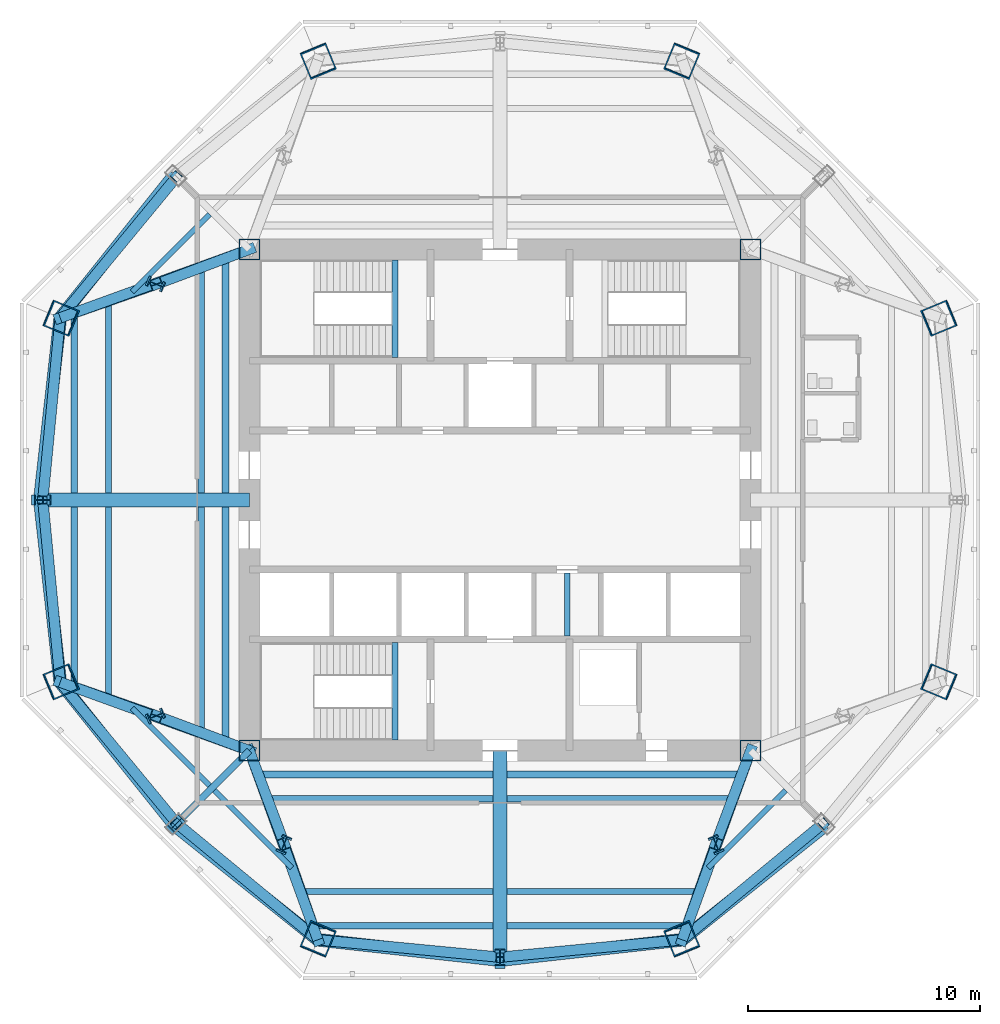
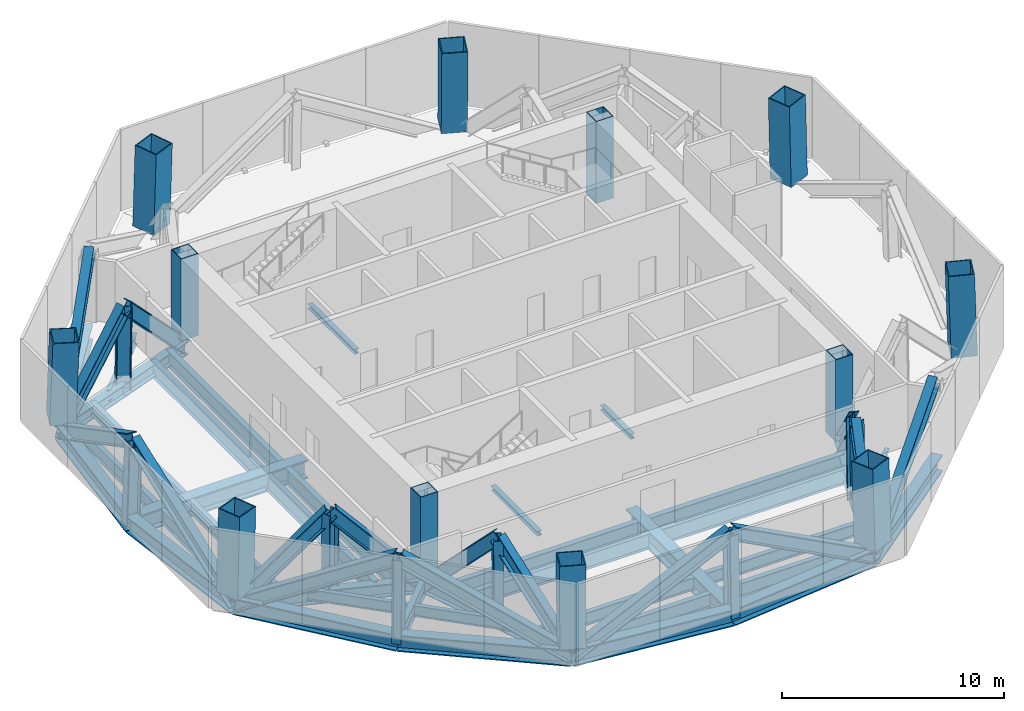
# One storey, part 1 of 8: 39 members, 26 beams, 12 columns.
"""IFC4 building model written with IfcOpenShell, lengths in metres."""

from ifc_helpers import new_model, si_unit, direction, frame, origin, origin_2d, place, context, subcontext, project, spatial, hollow_rectangle, i_section, extrude, source, transform, mapped, material, material_profile, profile_set, type_object, type_shapes, element, save


model = new_model("IFC4")

# Units and contexts
model_context = context("Model", 3, precision=1e-05, world=origin(), true_north=direction((0.0, 1.0)))
body_context = subcontext(model_context, "Body", "Model", "MODEL_VIEW")
ifc_project = project(units=[si_unit("LENGTHUNIT", "METRE"), si_unit("AREAUNIT", "SQUARE_METRE"), si_unit("VOLUMEUNIT", "CUBIC_METRE"), si_unit("PLANEANGLEUNIT", "RADIAN"), si_unit("MASSUNIT", "GRAM", prefix="KILO")], contexts=[model_context])

# Site, building, storey
site_placement = place(None, origin())
site = spatial("IfcSite", under=ifc_project, at=site_placement, CompositionType="ELEMENT")
building_placement = place(site_placement, origin())
building = spatial("IfcBuilding", under=site, at=building_placement, Name="Mashrafa Tower", CompositionType="ELEMENT")
storey_placement = place(building_placement, frame((0.0, 0.0, 261.800048828125)))
storey = spatial("IfcBuildingStorey", under=building, at=storey_placement, Name="L63", CompositionType="ELEMENT", Elevation=261.800048828125)

# Columns
ifc_material_1 = material(Name="Steel ASTM A572 Gr 50", Category="steel")
ifc_material_profile_1 = material_profile(ifc_material_1, hollow_rectangle(XDim=0.89990234375, YDim=0.89990234375, WallThickness=0.0400390625, at=origin_2d()), Name="BOX900X900X40")
ifc_profile_set_1 = profile_set([ifc_material_profile_1], Name="Steel ASTM A572 Gr 50")
column_type_1 = type_object("IfcColumnType", Name="Core corner column BOX900X900X40", PredefinedType="COLUMN", material=ifc_profile_set_1)
for number, where, z_axis, x_axis, name in (
    (1, (10.800048828125, 10.800048828125, 0.0), (0.0, 0.0, 1.0), (1.0, 0.0, 0.0), "Core corner column CC-NE L63"),
    (2, (-10.800048828125, 10.800048828125, 0.0), (0.0, 0.0, 1.0), (1.0, 0.0, 0.0), "Core corner column CC-NW L63"),
    (3, (-10.800048828125, -10.800048828125, 0.0), (0.0, 0.0, 1.0), (1.0, 0.0, 0.0), "Core corner column CC-SW L63"),
    (4, (10.800048828125, -10.800048828125, 0.0), (0.0, 0.0, 1.0), (1.0, 0.0, 0.0), "Core corner column CC-SE L63"),
):
    element("IfcColumn", number, at=place(storey_placement, frame(where, z_axis=z_axis, x_axis=x_axis)), inside=storey, type_object=column_type_1, Name=name, PredefinedType="COLUMN", context=body_context, shape_type="SweptSolid", body=[
        extrude(hollow_rectangle(XDim=0.89990234375, YDim=0.89990234375, WallThickness=0.0400390625, at=origin_2d()), origin(), (0.0, 0.0, 1.0), 4.5),
    ])
ifc_material_2 = material(Name="Steel ASTM A572 Gr 50", Category="steel")
ifc_material_profile_2 = material_profile(ifc_material_2, hollow_rectangle(XDim=1.199951171875, YDim=1.199951171875, WallThickness=0.054931640625, at=origin_2d()), Name="BOX1200X1200X55")
ifc_profile_set_2 = profile_set([ifc_material_profile_2], Name="Steel ASTM A572 Gr 50")
column_type_2 = type_object("IfcColumnType", Name="Mega column CFST BOX1200X1200X55", PredefinedType="COLUMN", material=ifc_profile_set_2)
for number, where, z_axis, x_axis, name in (
    (5, (18.9306640625, 7.84130859375, 0.0), (-0.028307020249, -0.011713249758, 0.999530646046), (0.382351792726, -0.924016832422, 0.0), "Mega column MC1 L63"),
    (6, (7.84130859375, 18.9306640625, 0.0), (-0.011713249758, -0.028307020249, 0.999530646046), (0.924016832422, -0.382351792726, 0.0), "Mega column MC2 L63"),
    (7, (-7.84130859375, 18.9306640625, 0.0), (0.011713249758, -0.028307020249, 0.999530646046), (0.924016832422, 0.382351792726, 0.0), "Mega column MC3 L63"),
    (8, (-18.9306640625, 7.84130859375, 0.0), (0.028307020249, -0.011713249758, 0.999530646046), (0.382351792726, 0.924016832422, 0.0), "Mega column MC4 L63"),
    (9, (-18.9306640625, -7.84130859375, 0.0), (0.028307020249, 0.011713249758, 0.999530646046), (-0.382351792726, 0.924016832422, 0.0), "Mega column MC5 L63"),
    (10, (-7.84130859375, -18.9306640625, 0.0), (0.011713249758, 0.028307020249, 0.999530646046), (-0.924016832422, 0.382351792726, 0.0), "Mega column MC6 L63"),
    (11, (7.84130859375, -18.9306640625, 0.0), (-0.011713249758, 0.028307020249, 0.999530646046), (-0.924016832422, -0.382351792726, 0.0), "Mega column MC7 L63"),
    (12, (18.9306640625, -7.84130859375, 0.0), (-0.028307020249, 0.011713249758, 0.999530646046), (-0.382351792726, -0.924016832422, 0.0), "Mega column MC8 L63"),
):
    element("IfcColumn", number, at=place(storey_placement, frame(where, z_axis=z_axis, x_axis=x_axis)), inside=storey, type_object=column_type_2, Name=name, PredefinedType="COLUMN", context=body_context, shape_type="SweptSolid", body=[
        extrude(hollow_rectangle(XDim=1.199951171875, YDim=1.199951171875, WallThickness=0.054931640625, at=origin_2d()), origin(), (0.0, 0.0, 1.0), 4.502197265625),
    ])

# Beams
ifc_material_3 = material(Name="Steel ASTM A572 Gr 50", Category="steel")
ifc_material_profile_3 = material_profile(ifc_material_3, i_section(OverallWidth=0.60009765625, OverallDepth=1.0, WebThickness=0.0400390625, FlangeThickness=0.070068359375, at=origin_2d()), Name="H1000X600X40X70")
ifc_profile_set_3 = profile_set([ifc_material_profile_3], Name="Steel ASTM A572 Gr 50")
beam_type_1 = type_object("IfcBeamType", Name="Beam H1000X600X40X70", PredefinedType="BEAM", material=ifc_profile_set_3)
for number, where, z_axis, x_axis, name in (
    (13, (-10.800048828125, 0.0, -0.75), (-1.0, 0.0, 0.0), (0.0, -1.0, 0.0), "Radial girder L63 042"),
    (14, (0.0, -10.800048828125, -0.75), (0.0, -1.0, 0.0), (1.0, 0.0, 0.0), "Radial girder L63 044"),
):
    element("IfcBeam", number, at=place(storey_placement, frame(where, z_axis=z_axis, x_axis=x_axis)), inside=storey, type_object=beam_type_1, Name=name, PredefinedType="BEAM", context=body_context, shape_type="SweptSolid", body=[
        extrude(i_section(OverallWidth=0.60009765625, OverallDepth=1.0, WebThickness=0.0400390625, FlangeThickness=0.070068359375, at=origin_2d()), origin(), (0.0, 0.0, 1.0), 9.015869140625),
    ])
ifc_material_4 = material(Name="Steel ASTM A992", Category="steel")
ifc_material_profile_4 = material_profile(ifc_material_4, i_section(OverallWidth=0.227783203125, OverallDepth=0.60205078125, WebThickness=0.010498046875, FlangeThickness=0.014892578125, FilletRadius=0.012939453125, at=origin_2d()), Name="W24X68")
ifc_profile_set_4 = profile_set([ifc_material_profile_4], Name="Steel ASTM A992")
beam_type_2 = type_object("IfcBeamType", Name="Beam W24X68", PredefinedType="BEAM", material=ifc_profile_set_4)
for number, where, z_axis, x_axis, name in (
    (15, (-15.843994140625, 8.968017578125, -0.551025390625), (0.707106781187, 0.707106781187, 0.0), (-0.707106781187, 0.707106781187, 0.0), "Floor beam L63 005"),
    (16, (-12.50927734375, -12.302734375, -0.551025390625), (-0.707106781187, 0.707106781187, 0.0), (-0.707106781187, -0.707106781187, 0.0), "Floor beam L63 008"),
    (17, (-8.968017578125, -15.843994140625, -0.551025390625), (-0.707106781187, 0.707106781187, 0.0), (-0.707106781187, -0.707106781187, 0.0), "Floor beam L63 014"),
    (18, (12.302734375, -12.50927734375, -0.551025390625), (-0.707106781187, -0.707106781187, 0.0), (0.707106781187, -0.707106781187, 0.0), "Floor beam L63 032"),
):
    element("IfcBeam", number, at=place(storey_placement, frame(where, z_axis=z_axis, x_axis=x_axis)), inside=storey, type_object=beam_type_2, Name=name, PredefinedType="BEAM", context=body_context, shape_type="SweptSolid", body=[
        extrude(i_section(OverallWidth=0.227783203125, OverallDepth=0.60205078125, WebThickness=0.010498046875, FlangeThickness=0.014892578125, FilletRadius=0.012939453125, at=origin_2d()), origin(), (0.0, 0.0, 1.0), 4.716064453125),
    ])
ifc_material_5 = material(Name="Steel ASTM A992", Category="steel")
ifc_material_profile_5 = material_profile(ifc_material_5, i_section(OverallWidth=0.256591796875, OverallDepth=0.693359375, WebThickness=0.014404296875, FlangeThickness=0.023681640625, FilletRadius=0.01513671875, at=origin_2d()), Name="W27X114")
ifc_profile_set_5 = profile_set([ifc_material_profile_5], Name="Steel ASTM A992")
beam_type_3 = type_object("IfcBeamType", Name="Beam W27X114", PredefinedType="BEAM", material=ifc_profile_set_5)
for number, where, z_axis, x_axis, name in (
    (19, (-16.868896484375, -8.595703125, -0.5966796875), (0.0, 1.0, 0.0), (-1.0, 0.0, 0.0), "Floor beam L63 003"),
    (20, (-16.868896484375, 0.300048828125, -0.5966796875), (0.0, 1.0, 0.0), (-1.0, 0.0, 0.0), "Floor beam L63 004"),
    (21, (-0.300048828125, -16.868896484375, -0.5966796875), (-1.0, 0.0, 0.0), (0.0, -1.0, 0.0), "Floor beam L63 018"),
    (22, (8.595703125, -16.868896484375, -0.5966796875), (-1.0, 0.0, 0.0), (0.0, -1.0, 0.0), "Floor beam L63 026"),
):
    element("IfcBeam", number, at=place(storey_placement, frame(where, z_axis=z_axis, x_axis=x_axis)), inside=storey, type_object=beam_type_3, Name=name, PredefinedType="BEAM", context=body_context, shape_type="SweptSolid", body=[
        extrude(i_section(OverallWidth=0.256591796875, OverallDepth=0.693359375, WebThickness=0.014404296875, FlangeThickness=0.023681640625, FilletRadius=0.01513671875, at=origin_2d()), origin(), (0.0, 0.0, 1.0), 8.295654296875),
    ])
ifc_material_6 = material(Name="Steel ASTM A992", Category="steel")
ifc_material_profile_6 = material_profile(ifc_material_6, i_section(OverallWidth=0.2666015625, OverallDepth=0.75439453125, WebThickness=0.01318359375, FlangeThickness=0.01708984375, FilletRadius=0.0166015625, at=origin_2d()), Name="W30X99")
ifc_profile_set_6 = profile_set([ifc_material_profile_6], Name="Steel ASTM A992")
beam_type_4 = type_object("IfcBeamType", Name="Beam W30X99", PredefinedType="BEAM", material=ifc_profile_set_6)
for number, where, z_axis, x_axis, name in (
    (23, (-18.34228515625, -8.060302734375, -0.627197265625), (0.0, 1.0, 0.0), (-1.0, 0.0, 0.0), "Floor beam L63 001"),
    (24, (-18.34228515625, 0.300048828125, -0.627197265625), (0.0, 1.0, 0.0), (-1.0, 0.0, 0.0), "Floor beam L63 002"),
    (25, (-0.300048828125, -18.34228515625, -0.627197265625), (-1.0, 0.0, 0.0), (0.0, -1.0, 0.0), "Floor beam L63 017"),
    (26, (8.060302734375, -18.34228515625, -0.627197265625), (-1.0, 0.0, 0.0), (0.0, -1.0, 0.0), "Floor beam L63 025"),
):
    element("IfcBeam", number, at=place(storey_placement, frame(where, z_axis=z_axis, x_axis=x_axis)), inside=storey, type_object=beam_type_4, Name=name, PredefinedType="BEAM", context=body_context, shape_type="SweptSolid", body=[
        extrude(i_section(OverallWidth=0.2666015625, OverallDepth=0.75439453125, WebThickness=0.01318359375, FlangeThickness=0.01708984375, FilletRadius=0.0166015625, at=origin_2d()), origin(), (0.0, 0.0, 1.0), 7.76025390625),
    ])
ifc_material_7 = material(Name="Steel ASTM A992", Category="steel")
ifc_material_profile_7 = material_profile(ifc_material_7, i_section(OverallWidth=0.2919921875, OverallDepth=0.8408203125, WebThickness=0.0146484375, FlangeThickness=0.021728515625, FilletRadius=0.017333984375, at=origin_2d()), Name="W33X130")
ifc_profile_set_7 = profile_set([ifc_material_profile_7], Name="Steel ASTM A992")
beam_type_5 = type_object("IfcBeamType", Name="Beam W33X130", PredefinedType="BEAM", material=ifc_profile_set_7)
beam_1_placement = place(storey_placement, frame((-10.800048828125, -10.800048828125, -0.67041015625), z_axis=(-0.707106781187, -0.707106781187, 0.0), x_axis=(0.707106781187, -0.707106781187, 0.0)))
element("IfcBeam", 27, at=beam_1_placement, inside=storey, type_object=beam_type_5, Name="Radial girder L63 041", PredefinedType="BEAM", context=body_context, shape_type="SweptSolid", body=[
    extrude(i_section(OverallWidth=0.2919921875, OverallDepth=0.8408203125, WebThickness=0.0146484375, FlangeThickness=0.021728515625, FilletRadius=0.017333984375, at=origin_2d()), origin(), (0.0, 0.0, 1.0), 4.542236328125),
])
ifc_material_8 = material(Name="Steel ASTM A992", Category="steel")
ifc_material_profile_8 = material_profile(ifc_material_8, i_section(OverallWidth=0.2919921875, OverallDepth=0.845703125, WebThickness=0.015380859375, FlangeThickness=0.0244140625, FilletRadius=0.017333984375, at=origin_2d()), Name="W33X141")
ifc_profile_set_8 = profile_set([ifc_material_profile_8], Name="Steel ASTM A992")
beam_type_6 = type_object("IfcBeamType", Name="Beam W33X141", PredefinedType="BEAM", material=ifc_profile_set_8)
for number, where, z_axis, x_axis, name in (
    (28, (-12.868896484375, -10.048583984375, -0.6728515625), (0.0, 1.0, 0.0), (-1.0, 0.0, 0.0), "Floor beam L63 006"),
    (29, (-12.868896484375, 0.300048828125, -0.6728515625), (0.0, 1.0, 0.0), (-1.0, 0.0, 0.0), "Floor beam L63 007"),
):
    element("IfcBeam", number, at=place(storey_placement, frame(where, z_axis=z_axis, x_axis=x_axis)), inside=storey, type_object=beam_type_6, Name=name, PredefinedType="BEAM", context=body_context, shape_type="SweptSolid", body=[
        extrude(i_section(OverallWidth=0.2919921875, OverallDepth=0.845703125, WebThickness=0.015380859375, FlangeThickness=0.0244140625, FilletRadius=0.017333984375, at=origin_2d()), origin(), (0.0, 0.0, 1.0), 9.74853515625),
    ])
for number, where, z_axis, x_axis, name in (
    (30, (-11.83447265625, -10.42431640625, -0.6728515625), (0.0, 1.0, 0.0), (-1.0, 0.0, 0.0), "Floor beam L63 010"),
    (31, (-11.83447265625, 0.300048828125, -0.6728515625), (0.0, 1.0, 0.0), (-1.0, 0.0, 0.0), "Floor beam L63 011"),
):
    element("IfcBeam", number, at=place(storey_placement, frame(where, z_axis=z_axis, x_axis=x_axis)), inside=storey, type_object=beam_type_6, Name=name, PredefinedType="BEAM", context=body_context, shape_type="SweptSolid", body=[
        extrude(i_section(OverallWidth=0.2919921875, OverallDepth=0.845703125, WebThickness=0.015380859375, FlangeThickness=0.0244140625, FilletRadius=0.017333984375, at=origin_2d()), origin(), (0.0, 0.0, 1.0), 10.124267578125),
    ])
beam_2_placement = place(storey_placement, frame((-0.300048828125, -12.868896484375, -0.6728515625), z_axis=(-1.0, 0.0, 0.0), x_axis=(0.0, -1.0, 0.0)))
element("IfcBeam", 32, at=beam_2_placement, inside=storey, type_object=beam_type_6, Name="Floor beam L63 019", PredefinedType="BEAM", context=body_context, shape_type="SweptSolid", body=[
    extrude(i_section(OverallWidth=0.2919921875, OverallDepth=0.845703125, WebThickness=0.015380859375, FlangeThickness=0.0244140625, FilletRadius=0.017333984375, at=origin_2d()), origin(), (0.0, 0.0, 1.0), 9.74853515625),
])
beam_3_placement = place(storey_placement, frame((-0.300048828125, -11.83447265625, -0.6728515625), z_axis=(-1.0, 0.0, 0.0), x_axis=(0.0, -1.0, 0.0)))
element("IfcBeam", 33, at=beam_3_placement, inside=storey, type_object=beam_type_6, Name="Floor beam L63 020", PredefinedType="BEAM", context=body_context, shape_type="SweptSolid", body=[
    extrude(i_section(OverallWidth=0.2919921875, OverallDepth=0.845703125, WebThickness=0.015380859375, FlangeThickness=0.0244140625, FilletRadius=0.017333984375, at=origin_2d()), origin(), (0.0, 0.0, 1.0), 10.124267578125),
])
beam_4_placement = place(storey_placement, frame((10.048583984375, -12.868896484375, -0.6728515625), z_axis=(-1.0, 0.0, 0.0), x_axis=(0.0, -1.0, 0.0)))
element("IfcBeam", 34, at=beam_4_placement, inside=storey, type_object=beam_type_6, Name="Floor beam L63 028", PredefinedType="BEAM", context=body_context, shape_type="SweptSolid", body=[
    extrude(i_section(OverallWidth=0.2919921875, OverallDepth=0.845703125, WebThickness=0.015380859375, FlangeThickness=0.0244140625, FilletRadius=0.017333984375, at=origin_2d()), origin(), (0.0, 0.0, 1.0), 9.74853515625),
])
beam_5_placement = place(storey_placement, frame((10.42431640625, -11.83447265625, -0.6728515625), z_axis=(-1.0, 0.0, 0.0), x_axis=(0.0, -1.0, 0.0)))
element("IfcBeam", 35, at=beam_5_placement, inside=storey, type_object=beam_type_6, Name="Floor beam L63 029", PredefinedType="BEAM", context=body_context, shape_type="SweptSolid", body=[
    extrude(i_section(OverallWidth=0.2919921875, OverallDepth=0.845703125, WebThickness=0.015380859375, FlangeThickness=0.0244140625, FilletRadius=0.017333984375, at=origin_2d()), origin(), (0.0, 0.0, 1.0), 10.124267578125),
])
ifc_material_9 = material(Name="Steel ASTM A992", Category="steel")
ifc_material_profile_9 = material_profile(ifc_material_9, i_section(OverallWidth=0.25390625, OverallDepth=0.25390625, WebThickness=0.008544921875, FlangeThickness=0.01416015625, FilletRadius=0.010009765625, at=origin_2d()), Name="W10X49")
ifc_profile_set_9 = profile_set([ifc_material_profile_9], Name="Steel ASTM A992")
beam_type_7 = type_object("IfcBeamType", Name="Hoistway beam W10X49", PredefinedType="BEAM", material=ifc_profile_set_9)
beam_6_placement = place(storey_placement, frame((2.89990234375, -5.85009765625, -0.376953125), z_axis=(0.0, 1.0, 0.0), x_axis=(-1.0, 0.0, 0.0)))
element("IfcBeam", 36, at=beam_6_placement, inside=storey, type_object=beam_type_7, Name="Hoistway beam L63 07", PredefinedType="BEAM", context=body_context, shape_type="SweptSolid", body=[
    extrude(i_section(OverallWidth=0.25390625, OverallDepth=0.25390625, WebThickness=0.008544921875, FlangeThickness=0.01416015625, FilletRadius=0.010009765625, at=origin_2d()), origin(), (0.0, 0.0, 1.0), 2.7001953125),
])
for number, where, z_axis, x_axis, name in (
    (37, (-4.530029296875, 6.14990234375, -0.376953125), (0.0, 1.0, 0.0), (-1.0, 0.0, 0.0), "Stair S1 landing beam L63"),
    (38, (-4.530029296875, -10.35009765625, -0.376953125), (0.0, 1.0, 0.0), (-1.0, 0.0, 0.0), "Stair S3 landing beam L63"),
):
    element("IfcBeam", number, at=place(storey_placement, frame(where, z_axis=z_axis, x_axis=x_axis)), inside=storey, type_object=beam_type_7, Name=name, PredefinedType="BEAM", context=body_context, shape_type="SweptSolid", body=[
        extrude(i_section(OverallWidth=0.25390625, OverallDepth=0.25390625, WebThickness=0.008544921875, FlangeThickness=0.01416015625, FilletRadius=0.010009765625, at=origin_2d()), origin(), (0.0, 0.0, 1.0), 4.2001953125),
    ])

# Members
ifc_material_10 = material(Name="Steel ASTM A572 Gr 50", Category="steel")
ifc_material_profile_10 = material_profile(ifc_material_10, i_section(OverallWidth=0.449951171875, OverallDepth=0.699951171875, WebThickness=0.028076171875, FlangeThickness=0.044921875, at=origin_2d()), Name="H700X450X28X45")
ifc_profile_set_10 = profile_set([ifc_material_profile_10], Name="Steel ASTM A572 Gr 50")
member_type_1 = type_object("IfcMemberType", Name="Outrigger post H700X450X28X45", PredefinedType="POST", material=ifc_profile_set_10)
shared_shape_1 = source(origin(), body_context, "Body", "SweptSolid", [
    extrude(i_section(OverallWidth=0.449951171875, OverallDepth=0.699951171875, WebThickness=0.028076171875, FlangeThickness=0.044921875, at=origin_2d()), origin(), (0.0, 0.0, 1.0), 4.50048828125),
])
type_shapes(member_type_1, [shared_shape_1])
for number, where, z_axis, x_axis, name in (
    (39, (-14.875244140625, 9.32470703125, -0.699951171875), (0.014158493841, -0.005858687107, 0.999882599527), (0.382351792726, 0.924016832422, 0.0), "Outrigger post MC4 L63"),
    (40, (-14.875244140625, -9.32470703125, -0.699951171875), (0.014158493841, 0.005858687107, 0.999882599527), (-0.382351792726, 0.924016832422, 0.0), "Outrigger post MC5 L63"),
    (41, (-9.32470703125, -14.875244140625, -0.699951171875), (0.005858687107, 0.014158493841, 0.999882599527), (-0.924016832422, 0.382351792726, 0.0), "Outrigger post MC6 L63"),
    (42, (9.32470703125, -14.875244140625, -0.699951171875), (-0.005858687107, 0.014158493841, 0.999882599527), (-0.924016832422, -0.382351792726, 0.0), "Outrigger post MC7 L63"),
):
    element("IfcMember", number, at=place(storey_placement, frame(where, z_axis=z_axis, x_axis=x_axis)), inside=storey, type_object=member_type_1, Name=name, PredefinedType="POST", context=body_context, shape_type="MappedRepresentation", body=[
        mapped(shared_shape_1, transform((0.0, 0.0, 0.0))),
    ])
ifc_material_11 = material(Name="Steel ASTM A572 Gr 50", Category="steel")
ifc_material_profile_11 = material_profile(ifc_material_11, i_section(OverallWidth=0.449951171875, OverallDepth=0.699951171875, WebThickness=0.028076171875, FlangeThickness=0.044921875, at=origin_2d()), Name="H700X450X28X45")
ifc_profile_set_11 = profile_set([ifc_material_profile_11], Name="Steel ASTM A572 Gr 50")
member_type_2 = type_object("IfcMemberType", Name="Belt truss post H700X450X28X45", PredefinedType="POST", material=ifc_profile_set_11)
shared_shape_2 = source(origin(), body_context, "Body", "SweptSolid", [
    extrude(i_section(OverallWidth=0.449951171875, OverallDepth=0.699951171875, WebThickness=0.028076171875, FlangeThickness=0.044921875, at=origin_2d()), origin(), (0.0, 0.0, 1.0), 4.501708984375),
])
type_shapes(member_type_2, [shared_shape_2])
for number, where, z_axis, x_axis, name in (
    (43, (-19.82861328125, 0.0, -0.699951171875), (0.028308962314, 0.0, 0.999599221014), (0.0, 1.0, 0.0), "Belt truss post west face L63"),
    (44, (-14.02099609375, -14.02099609375, -0.699951171875), (0.02001151261, 0.02001151261, 0.999599459147), (-0.707106781187, 0.707106781187, 0.0), "Belt truss post south-west face L63"),
    (45, (0.0, -19.82861328125, -0.699951171875), (0.0, 0.028308962314, 0.999599221014), (-1.0, 0.0, 0.0), "Belt truss post south face L63"),
):
    element("IfcMember", number, at=place(storey_placement, frame(where, z_axis=z_axis, x_axis=x_axis)), inside=storey, type_object=member_type_2, Name=name, PredefinedType="POST", context=body_context, shape_type="MappedRepresentation", body=[
        mapped(shared_shape_2, transform((0.0, 0.0, 0.0))),
    ])
ifc_material_12 = material(Name="Steel ASTM A572 Gr 50", Category="steel")
ifc_material_profile_12 = material_profile(ifc_material_12, i_section(OverallWidth=0.550048828125, OverallDepth=0.89990234375, WebThickness=0.034912109375, FlangeThickness=0.06005859375, at=origin_2d()), Name="H900X550X35X60")
ifc_profile_set_12 = profile_set([ifc_material_profile_12], Name="Steel ASTM A572 Gr 50")
member_type_3 = type_object("IfcMemberType", Name="Belt truss chord H900X550X35X60", PredefinedType="CHORD", material=ifc_profile_set_12)
shared_shape_3 = source(origin(), body_context, "Body", "SweptSolid", [
    extrude(i_section(OverallWidth=0.550048828125, OverallDepth=0.89990234375, WebThickness=0.034912109375, FlangeThickness=0.06005859375, at=origin_2d()), origin(), (0.0, 0.0, 1.0), 7.898681640625),
])
for number, where, z_axis, x_axis, name in (
    (46, (-18.950439453125, 7.849609375, -0.699951171875), (-0.11118123692, -0.993800147191, 0.0), (0.993800147191, -0.11118123692, 0.0), "Belt truss bottom chord west face L63 right"),
    (47, (-18.950439453125, -7.849609375, -0.699951171875), (-0.11118123692, 0.993800147191, 0.0), (-0.993800147191, -0.11118123692, 0.0), "Belt truss bottom chord west face L63 left"),
    (48, (-7.849609375, -18.950439453125, -0.699951171875), (0.993800147191, -0.11118123692, 0.0), (0.11118123692, 0.993800147191, 0.0), "Belt truss bottom chord south face L63 right"),
    (49, (7.849609375, -18.950439453125, -0.699951171875), (-0.993800147191, -0.11118123692, 0.0), (0.11118123692, -0.993800147191, 0.0), "Belt truss bottom chord south face L63 left"),
):
    element("IfcMember", number, at=place(storey_placement, frame(where, z_axis=z_axis, x_axis=x_axis)), inside=storey, type_object=member_type_3, Name=name, PredefinedType="CHORD", context=body_context, shape_type="MappedRepresentation", body=[
        mapped(shared_shape_3, transform((0.0, 0.0, 0.0))),
    ])
ifc_material_13 = material(Name="Steel ASTM A572 Gr 50", Category="steel")
ifc_material_profile_13 = material_profile(ifc_material_13, i_section(OverallWidth=0.449951171875, OverallDepth=0.699951171875, WebThickness=0.028076171875, FlangeThickness=0.044921875, at=origin_2d()), Name="H700X450X28X45")
ifc_profile_set_13 = profile_set([ifc_material_profile_13], Name="Steel ASTM A572 Gr 50")
member_type_4 = type_object("IfcMemberType", Name="Belt truss diagonal H700X450X28X45", PredefinedType="BRACE", material=ifc_profile_set_13)
shared_shape_4 = source(origin(), body_context, "Body", "SweptSolid", [
    extrude(i_section(OverallWidth=0.449951171875, OverallDepth=0.699951171875, WebThickness=0.028076171875, FlangeThickness=0.044921875, at=origin_2d()), origin(), (0.0, 0.0, 1.0), 9.0791015625),
])
type_shapes(member_type_4, [shared_shape_4])
for number, where, z_axis, x_axis, name in (
    (50, (-18.950439453125, 7.849609375, -0.699951171875), (0.552873879866, 0.66982176428, 0.49565035767), (-0.771220129748, 0.636568544205, 0.0), "Belt truss diagonal north-west face L63 left"),
    (51, (-18.950439453125, 7.849609375, -0.699951171875), (-0.082688023381, -0.864580594393, 0.495644112835), (0.995457684062, -0.095205037898, 0.0), "Belt truss diagonal west face L63 right"),
    (52, (-18.950439453125, -7.849609375, -0.699951171875), (-0.082688023381, 0.864580594393, 0.495644112835), (-0.995457684062, -0.095205037898, 0.0), "Belt truss diagonal west face L63 left"),
    (53, (-18.950439453125, -7.849609375, -0.699951171875), (0.552873879866, -0.66982176428, 0.49565035767), (0.771220129748, 0.636568544205, 0.0), "Belt truss diagonal south-west face L63 right"),
    (54, (-7.849609375, -18.950439453125, -0.699951171875), (-0.66982176428, 0.552873879866, 0.49565035767), (-0.636568544205, -0.771220129748, 0.0), "Belt truss diagonal south-west face L63 left"),
    (55, (-7.849609375, -18.950439453125, -0.699951171875), (0.864580594393, -0.082688023381, 0.495644112835), (0.095205037898, 0.995457684062, 0.0), "Belt truss diagonal south face L63 right"),
    (56, (7.849609375, -18.950439453125, -0.699951171875), (-0.864580594393, -0.082688023381, 0.495644112835), (0.095205037898, -0.995457684062, 0.0), "Belt truss diagonal south face L63 left"),
    (57, (7.849609375, -18.950439453125, -0.699951171875), (0.66982176428, 0.552873879866, 0.49565035767), (-0.636568544205, 0.771220129748, 0.0), "Belt truss diagonal south-east face L63 right"),
):
    element("IfcMember", number, at=place(storey_placement, frame(where, z_axis=z_axis, x_axis=x_axis)), inside=storey, type_object=member_type_4, Name=name, PredefinedType="BRACE", context=body_context, shape_type="MappedRepresentation", body=[
        mapped(shared_shape_4, transform((0.0, 0.0, 0.0))),
    ])
shared_shape_5 = source(origin(), body_context, "Body", "SweptSolid", [
    extrude(i_section(OverallWidth=0.550048828125, OverallDepth=0.89990234375, WebThickness=0.034912109375, FlangeThickness=0.06005859375, at=origin_2d()), origin(), (0.0, 0.0, 1.0), 7.8984375),
])
type_shapes(member_type_3, [shared_shape_3, shared_shape_5])
for number, where, z_axis, x_axis, name in (
    (58, (-18.950439453125, 7.849609375, -0.699951171875), (0.624103055444, 0.781342035338, 0.0), (-0.781342035338, 0.624103055444, 0.0), "Belt truss bottom chord north-west face L63 left"),
    (59, (-18.950439453125, -7.849609375, -0.699951171875), (0.624103055444, -0.781342035338, 0.0), (0.781342035338, 0.624103055444, 0.0), "Belt truss bottom chord south-west face L63 right"),
    (60, (-7.849609375, -18.950439453125, -0.699951171875), (-0.781342035338, 0.624103055444, 0.0), (-0.624103055444, -0.781342035338, 0.0), "Belt truss bottom chord south-west face L63 left"),
    (61, (7.849609375, -18.950439453125, -0.699951171875), (0.781342035338, 0.624103055444, 0.0), (-0.624103055444, 0.781342035338, 0.0), "Belt truss bottom chord south-east face L63 right"),
):
    element("IfcMember", number, at=place(storey_placement, frame(where, z_axis=z_axis, x_axis=x_axis)), inside=storey, type_object=member_type_3, Name=name, PredefinedType="CHORD", context=body_context, shape_type="MappedRepresentation", body=[
        mapped(shared_shape_5, transform((0.0, 0.0, 0.0))),
    ])
ifc_material_14 = material(Name="Steel ASTM A572 Gr 50", Category="steel")
ifc_material_profile_14 = material_profile(ifc_material_14, i_section(OverallWidth=0.449951171875, OverallDepth=0.699951171875, WebThickness=0.028076171875, FlangeThickness=0.044921875, at=origin_2d()), Name="H700X450X28X45")
ifc_profile_set_14 = profile_set([ifc_material_profile_14], Name="Steel ASTM A572 Gr 50")
member_type_5 = type_object("IfcMemberType", Name="Outrigger chord H700X450X28X45", PredefinedType="CHORD", material=ifc_profile_set_14)
shared_shape_6 = source(origin(), body_context, "Body", "SweptSolid", [
    extrude(i_section(OverallWidth=0.449951171875, OverallDepth=0.699951171875, WebThickness=0.028076171875, FlangeThickness=0.044921875, at=origin_2d()), origin(), (0.0, 0.0, 1.0), 4.333984375),
])
type_shapes(member_type_5, [shared_shape_6])
for number, where, z_axis, x_axis, name in (
    (62, (-10.800048828125, 10.800048828125, -0.699951171875), (-0.940277663363, -0.340408454332, 0.0), (0.340408454332, -0.940277663363, 0.0), "Outrigger bottom chord MC4 L63 core end"),
    (63, (-14.875244140625, 9.32470703125, -0.699951171875), (-0.940295692742, -0.340358649386, 0.0), (0.340358649386, -0.940295692742, 0.0), "Outrigger bottom chord MC4 L63 column end"),
    (64, (-10.800048828125, -10.800048828125, -0.699951171875), (-0.940277663363, 0.340408454332, 0.0), (-0.340408454332, -0.940277663363, 0.0), "Outrigger bottom chord MC5 L63 core end"),
    (65, (-14.875244140625, -9.32470703125, -0.699951171875), (-0.940295692742, 0.340358649386, 0.0), (-0.340358649386, -0.940295692742, 0.0), "Outrigger bottom chord MC5 L63 column end"),
    (66, (-10.800048828125, -10.800048828125, -0.699951171875), (0.340408454332, -0.940277663363, 0.0), (0.940277663363, 0.340408454332, 0.0), "Outrigger bottom chord MC6 L63 core end"),
    (67, (-9.32470703125, -14.875244140625, -0.699951171875), (0.340358649386, -0.940295692742, 0.0), (0.940295692742, 0.340358649386, 0.0), "Outrigger bottom chord MC6 L63 column end"),
    (68, (10.800048828125, -10.800048828125, -0.699951171875), (-0.340408454332, -0.940277663363, 0.0), (0.940277663363, -0.340408454332, 0.0), "Outrigger bottom chord MC7 L63 core end"),
    (69, (9.32470703125, -14.875244140625, -0.699951171875), (-0.340358649386, -0.940295692742, 0.0), (0.940295692742, -0.340358649386, 0.0), "Outrigger bottom chord MC7 L63 column end"),
):
    element("IfcMember", number, at=place(storey_placement, frame(where, z_axis=z_axis, x_axis=x_axis)), inside=storey, type_object=member_type_5, Name=name, PredefinedType="CHORD", context=body_context, shape_type="MappedRepresentation", body=[
        mapped(shared_shape_6, transform((0.0, 0.0, 0.0))),
    ])
ifc_material_15 = material(Name="Steel ASTM A572 Gr 50", Category="steel")
ifc_material_profile_15 = material_profile(ifc_material_15, i_section(OverallWidth=0.449951171875, OverallDepth=0.699951171875, WebThickness=0.028076171875, FlangeThickness=0.044921875, at=origin_2d()), Name="H700X450X28X45")
ifc_profile_set_15 = profile_set([ifc_material_profile_15], Name="Steel ASTM A572 Gr 50")
member_type_6 = type_object("IfcMemberType", Name="Outrigger diagonal H700X450X28X45", PredefinedType="BRACE", material=ifc_profile_set_15)
shared_shape_7 = source(origin(), body_context, "Body", "SweptSolid", [
    extrude(i_section(OverallWidth=0.449951171875, OverallDepth=0.699951171875, WebThickness=0.028076171875, FlangeThickness=0.044921875, at=origin_2d()), origin(), (0.0, 0.0, 1.0), 6.212646484375),
])
for number, where, z_axis, x_axis, name in (
    (70, (-10.800048828125, 10.800048828125, -0.699951171875), (-0.64569428734, -0.241717823713, 0.724328227391), (0.350592448272, -0.936528128363, 0.0), "Outrigger diagonal MC4 L63 core end"),
    (71, (-10.800048828125, -10.800048828125, -0.699951171875), (-0.64569428734, 0.241717823713, 0.724328227391), (-0.350592448272, -0.936528128363, 0.0), "Outrigger diagonal MC5 L63 core end"),
    (72, (-10.800048828125, -10.800048828125, -0.699951171875), (0.241717823713, -0.64569428734, 0.724328227391), (0.936528128363, 0.350592448272, 0.0), "Outrigger diagonal MC6 L63 core end"),
    (73, (10.800048828125, -10.800048828125, -0.699951171875), (-0.241717823713, -0.64569428734, 0.724328227391), (0.936528128363, -0.350592448272, 0.0), "Outrigger diagonal MC7 L63 core end"),
):
    element("IfcMember", number, at=place(storey_placement, frame(where, z_axis=z_axis, x_axis=x_axis)), inside=storey, type_object=member_type_6, Name=name, PredefinedType="BRACE", context=body_context, shape_type="MappedRepresentation", body=[
        mapped(shared_shape_7, transform((0.0, 0.0, 0.0))),
    ])
shared_shape_8 = source(origin(), body_context, "Body", "SweptSolid", [
    extrude(i_section(OverallWidth=0.449951171875, OverallDepth=0.699951171875, WebThickness=0.028076171875, FlangeThickness=0.044921875, at=origin_2d()), origin(), (0.0, 0.0, 1.0), 6.283203125),
])
type_shapes(member_type_6, [shared_shape_7, shared_shape_8])
for number, where, z_axis, x_axis, name in (
    (74, (-18.950439453125, 7.849609375, -0.699951171875), (0.658720365335, 0.230569612924, 0.716187918), (-0.330372744052, 0.943850544306, 0.0), "Outrigger diagonal MC4 L63 column end"),
    (75, (-18.950439453125, -7.849609375, -0.699951171875), (0.658720365335, -0.230569612924, 0.716187918), (0.330372744052, 0.943850544306, 0.0), "Outrigger diagonal MC5 L63 column end"),
    (76, (-7.849609375, -18.950439453125, -0.699951171875), (-0.230569612924, 0.658720365335, 0.716187918), (-0.943850544306, -0.330372744052, 0.0), "Outrigger diagonal MC6 L63 column end"),
    (77, (7.849609375, -18.950439453125, -0.699951171875), (0.230569612924, 0.658720365335, 0.716187918), (-0.943850544306, 0.330372744052, 0.0), "Outrigger diagonal MC7 L63 column end"),
):
    element("IfcMember", number, at=place(storey_placement, frame(where, z_axis=z_axis, x_axis=x_axis)), inside=storey, type_object=member_type_6, Name=name, PredefinedType="BRACE", context=body_context, shape_type="MappedRepresentation", body=[
        mapped(shared_shape_8, transform((0.0, 0.0, 0.0))),
    ])

save(model, "model.ifc")
